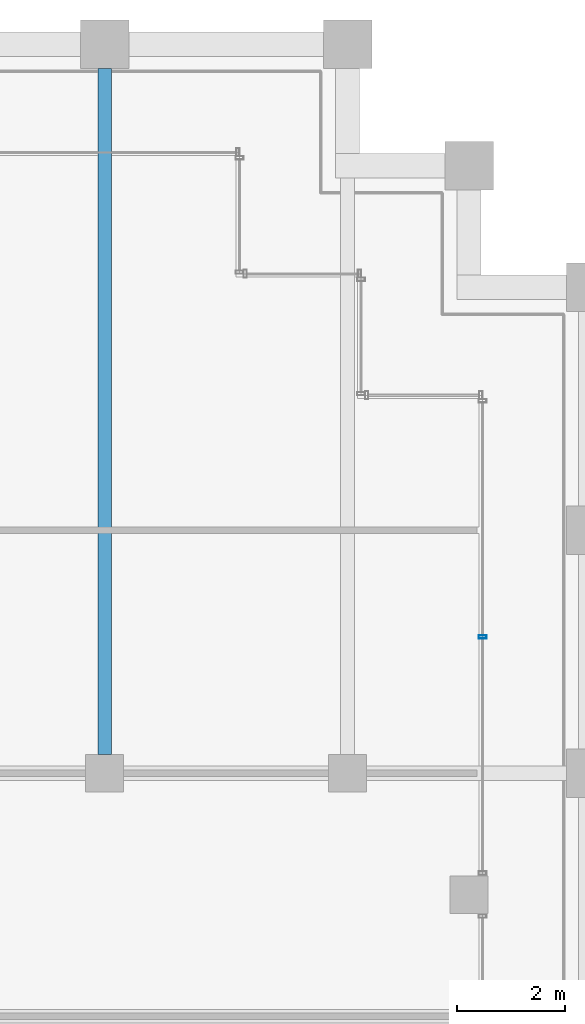
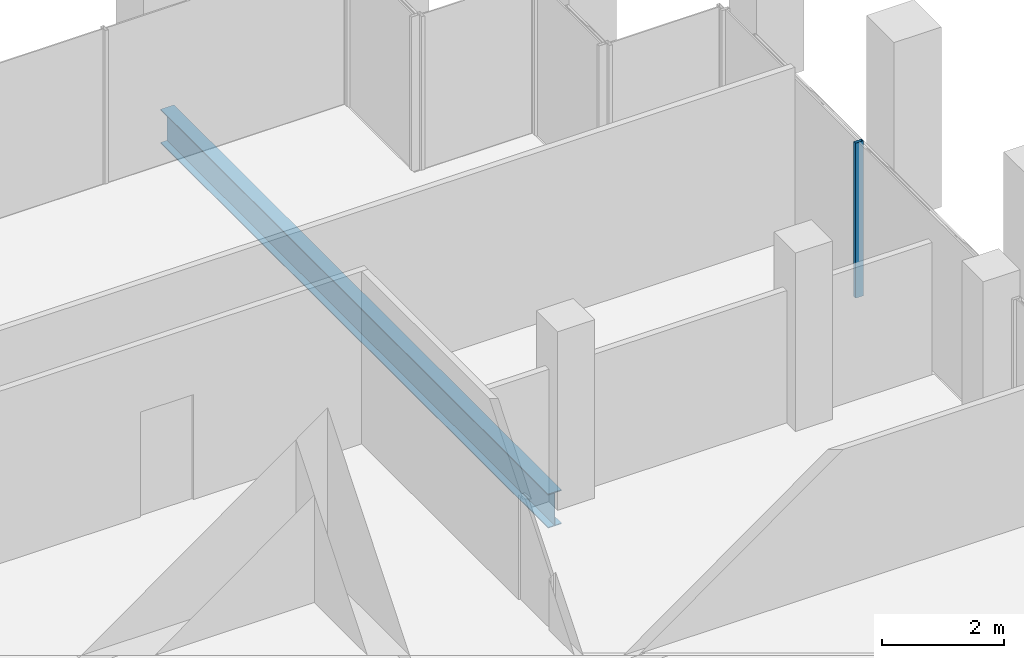
# One storey, part 24 of 40: 1 beam, 1 member, 1 element without a shape of its own.
"""IFC4 building model written with IfcOpenShell, lengths in metres."""

from ifc_helpers import new_model, si_unit, direction, frame, origin, origin_2d, place, context, subcontext, project, spatial, hollow_rectangle, i_section, extrude, material, material_profile, profile_set, type_object, element, aggregate, save


model = new_model("IFC4")

# Units and contexts
model_context = context("Model", 3, precision=1e-05, world=origin(), true_north=direction((0.0, 1.0)))
body_context = subcontext(model_context, "Body", "Model", "MODEL_VIEW")
ifc_project = project(units=[si_unit("LENGTHUNIT", "METRE"), si_unit("AREAUNIT", "SQUARE_METRE"), si_unit("VOLUMEUNIT", "CUBIC_METRE"), si_unit("PLANEANGLEUNIT", "RADIAN"), si_unit("MASSUNIT", "GRAM", prefix="KILO")], contexts=[model_context])

# Site, building, storey
site_placement = place(None, origin())
site = spatial("IfcSite", under=ifc_project, at=site_placement, CompositionType="ELEMENT")
building_placement = place(site_placement, origin())
building = spatial("IfcBuilding", under=site, at=building_placement, Name="Altepetl Exchange Towers", CompositionType="ELEMENT")
storey_placement = place(building_placement, frame((0.0, 0.0, 179.800048828125)))
storey = spatial("IfcBuildingStorey", under=building, at=storey_placement, Name="L45", CompositionType="ELEMENT", Elevation=179.800048828125)

# Beam
ifc_material_1 = material(Name="Steel S355", Category="steel")
ifc_material_profile_1 = material_profile(ifc_material_1, i_section(OverallWidth=0.25390625, OverallDepth=0.68408203125, WebThickness=0.012451171875, FlangeThickness=0.018798828125, at=origin_2d()), Name="W27X94")
ifc_profile_set_1 = profile_set([ifc_material_profile_1], Name="Steel S355")
beam_type = type_object("IfcBeamType", Name="Floor beam W27X94", PredefinedType="BEAM", material=ifc_profile_set_1)
beam_placement = place(storey_placement, frame((63.0, 58.85009765625, -0.491943359375), z_axis=(0.0, 1.0, 0.0), x_axis=(-1.0, 0.0, 0.0)))
element("IfcBeam", 1, at=beam_placement, inside=storey, type_object=beam_type, Name="bm:A:L45:004", PredefinedType="BEAM", context=body_context, shape_type="SweptSolid", body=[
    extrude(i_section(OverallWidth=0.25390625, OverallDepth=0.68408203125, WebThickness=0.012451171875, FlangeThickness=0.018798828125, at=origin_2d()), origin(), (0.0, 0.0, 1.0), 12.699951171875),
])

# Curtain wall, member
ifc_material_2 = material(Name="Aluminium 6063-T6 glazing", Category="aluminium")
curtain_wall_type = type_object("IfcCurtainWallType", Name="Loggia glazing system", PredefinedType="NOTDEFINED", material=ifc_material_2)
curtain_wall_placement = place(storey_placement, origin())
curtain_wall = element("IfcCurtainWall", 2, at=curtain_wall_placement, inside=storey, type_object=curtain_wall_type, Name="CW1 run", PredefinedType="NOTDEFINED")
ifc_material_3 = material(Name="Aluminium 6063-T6", Category="aluminium")
ifc_material_profile_2 = material_profile(ifc_material_3, hollow_rectangle(XDim=0.06005859375, YDim=0.14990234375, WallThickness=0.0029296875, at=origin_2d()), Name="Mullion 60x150 aluminium")
ifc_profile_set_2 = profile_set([ifc_material_profile_2], Name="Aluminium 6063-T6")
member_type = type_object("IfcMemberType", Name="Mullion 60x150 aluminium", PredefinedType="MULLION", material=ifc_profile_set_2)
member_placement = place(storey_placement, frame((70.0, 61.0224609375, 0.0), z_axis=(0.0, 0.0, 1.0), x_axis=(0.0, 1.0, 0.0)))
member = element("IfcMember", 3, at=member_placement, type_object=member_type, Name="MU1 mullion", PredefinedType="MULLION", context=body_context, shape_type="SweptSolid", body=[
    extrude(hollow_rectangle(XDim=0.06005859375, YDim=0.14990234375, WallThickness=0.0029296875, at=origin_2d()), origin(), (0.0, 0.0, 1.0), 3.099853515625),
])
aggregate(curtain_wall, [member])

save(model, "model.ifc")
